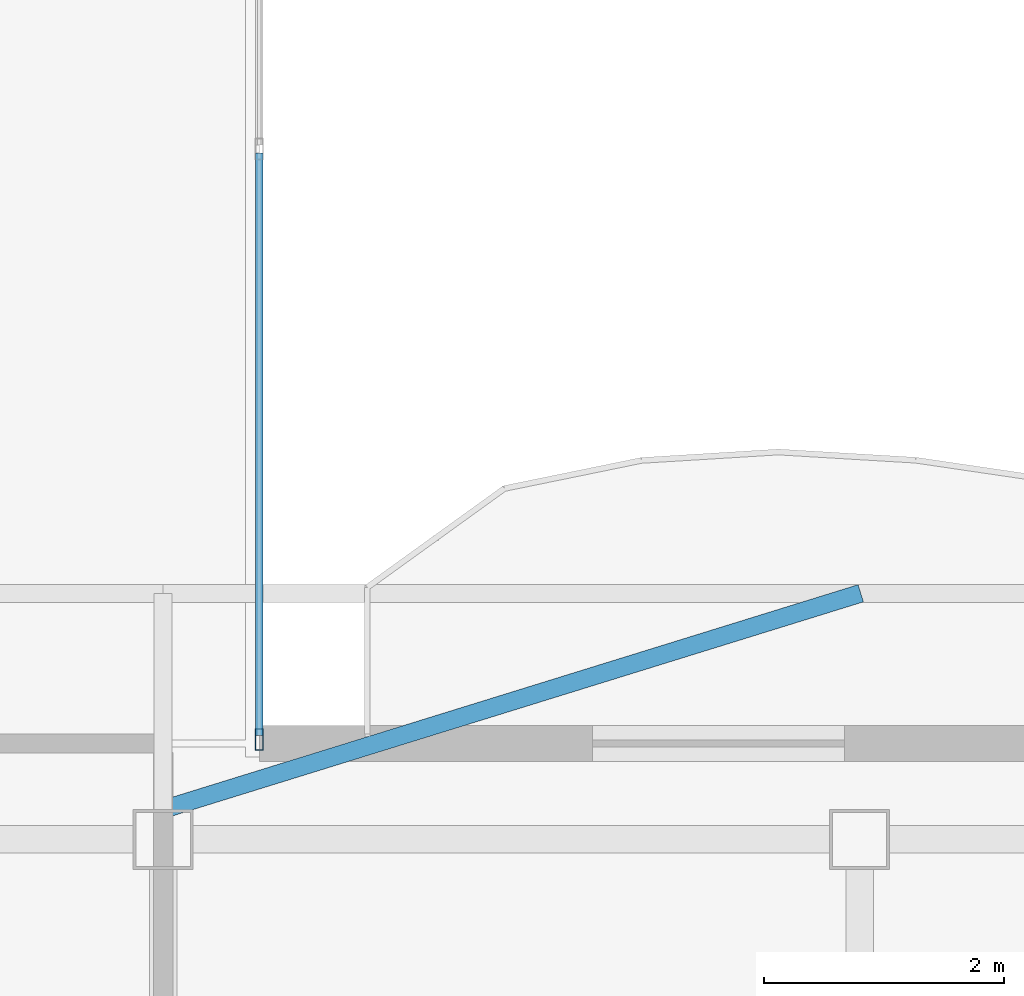
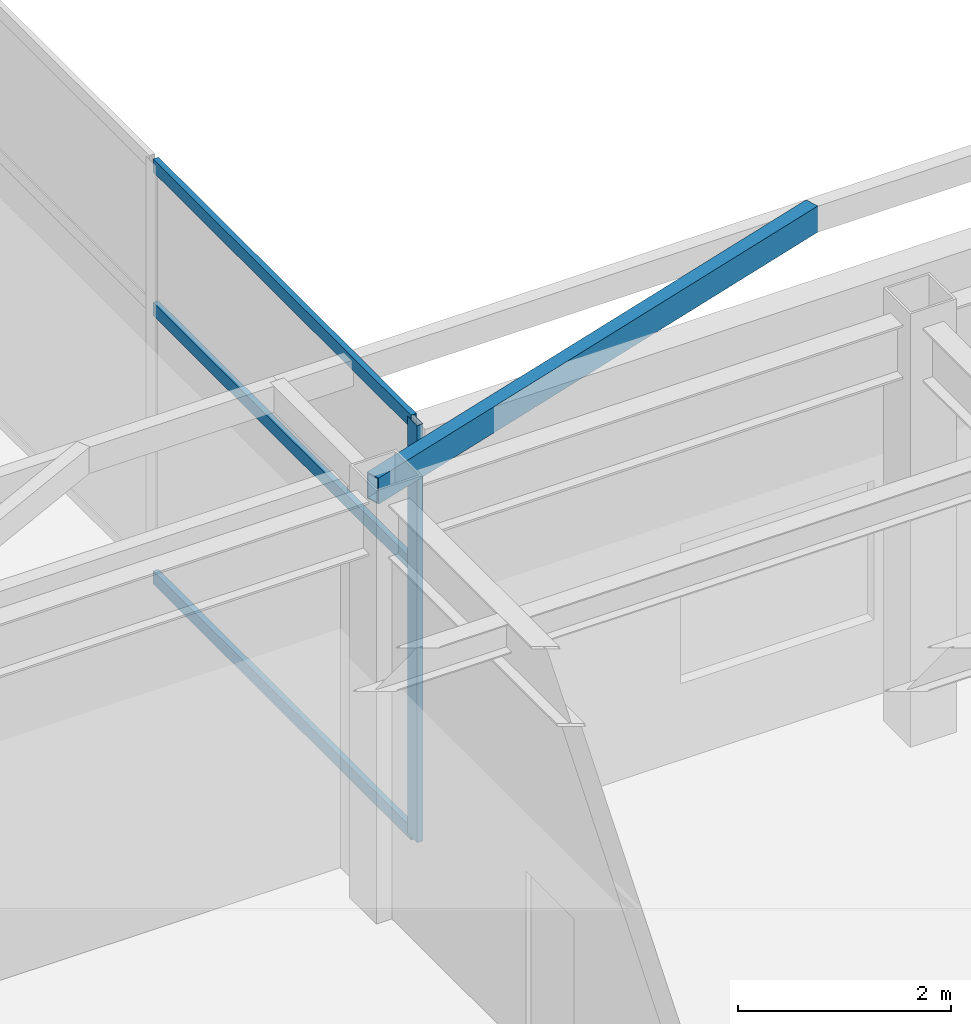
# One storey, part 10 of 23: 4 members, 1 beam, 1 element without a shape of its own.
"""IFC4 building model written with IfcOpenShell, lengths in metres."""

from ifc_helpers import new_model, si_unit, direction, frame, origin, origin_2d, place, context, subcontext, project, spatial, hollow_rectangle, extrude, material, layer, layer_set, material_profile, profile_set, type_object, element, aggregate, save


model = new_model("IFC4")

# Units and contexts
model_context = context("Model", 3, precision=1e-05, world=origin(), true_north=direction((0.0, 1.0)))
body_context = subcontext(model_context, "Body", "Model", "MODEL_VIEW")
ifc_project = project(units=[si_unit("LENGTHUNIT", "METRE"), si_unit("AREAUNIT", "SQUARE_METRE"), si_unit("VOLUMEUNIT", "CUBIC_METRE"), si_unit("PLANEANGLEUNIT", "RADIAN"), si_unit("MASSUNIT", "GRAM", prefix="KILO")], contexts=[model_context])

# Site, building, storey
site_placement = place(None, origin())
site = spatial("IfcSite", under=ifc_project, at=site_placement, CompositionType="ELEMENT")
building_placement = place(site_placement, origin())
building = spatial("IfcBuilding", under=site, at=building_placement, Name="Mawjaban Terraces University", CompositionType="ELEMENT")
storey_placement = place(building_placement, frame((0.0, 0.0, 98.39990234375)))
storey = spatial("IfcBuildingStorey", under=building, at=storey_placement, Name="L23", CompositionType="ELEMENT", Elevation=98.39990234375)

# Beam
ifc_material_1 = material(Name="Steel EN 10210-1 S355J2H", Category="steel")
ifc_material_profile_1 = material_profile(ifc_material_1, hollow_rectangle(XDim=0.14990234375, YDim=0.300048828125, WallThickness=0.012451171875, at=origin_2d()), Name="RHS300X150X12.5")
ifc_profile_set_1 = profile_set([ifc_material_profile_1], Name="Steel EN 10210-1 S355J2H")
beam_type = type_object("IfcBeamType", Name="BalconyCantileverSpandrel_RHS", PredefinedType="SPANDREL", material=ifc_profile_set_1)
beam_placement = place(storey_placement, frame((52.0, 15.449951171875, 4.64013671875), z_axis=(0.955207034031, 0.295938375574, 0.0), x_axis=(-0.295938375574, 0.955207034031, 0.0)))
element("IfcBeam", 1, at=beam_placement, inside=storey, type_object=beam_type, Name="L23 Exterior Diagonal Strut BAL-L24-N.1", PredefinedType="SPANDREL", context=body_context, shape_type="SweptSolid", body=[
    extrude(hollow_rectangle(XDim=0.14990234375, YDim=0.300048828125, WallThickness=0.012451171875, at=origin_2d()), origin(), (0.0, 0.0, 1.0), 6.08251953125),
])

# Curtain wall, members
ifc_material_2 = material(Name="Anodised aluminium 6063-T6 and solar-control low-E glass", Category="aluminium")
ifc_layer = layer(ifc_material_2, 0.18994140625)
ifc_layer_set = layer_set([ifc_layer], Name="Anodised aluminium 6063-T6 and solar-control low-E glass")
curtain_wall_type = type_object("IfcCurtainWallType", Name="CWSystem_05_SkyLobby", PredefinedType="NOTDEFINED", material=ifc_layer_set)
curtain_wall_placement = place(storey_placement, origin())
curtain_wall = element("IfcCurtainWall", 2, at=curtain_wall_placement, inside=storey, type_object=curtain_wall_type, Name="L23 Curtain Wall CW-05 Run 6.1", PredefinedType="NOTDEFINED")
ifc_material_3 = material(Name="Anodised aluminium 6063-T6", Category="aluminium")
ifc_material_profile_2 = material_profile(ifc_material_3, hollow_rectangle(XDim=0.06494140625, YDim=0.179931640625, WallThickness=0.00390625, at=origin_2d()), Name="ALU180X65X4")
ifc_profile_set_2 = profile_set([ifc_material_profile_2], Name="Anodised aluminium 6063-T6")
member_type_1 = type_object("IfcMemberType", Name="Mullion_CW-05", PredefinedType="MULLION", material=ifc_profile_set_2)
member_1_placement = place(storey_placement, frame((52.800048828125, 16.032470703125, 0.0), z_axis=(0.0, 0.0, 1.0), x_axis=(-1.0, 0.0, 0.0)))
member_1 = element("IfcMember", 3, at=member_1_placement, type_object=member_type_1, Name="CW-05 mullion 1", PredefinedType="MULLION", context=body_context, shape_type="SweptSolid", body=[
    extrude(hollow_rectangle(XDim=0.06494140625, YDim=0.179931640625, WallThickness=0.00390625, at=origin_2d()), origin(), (0.0, 0.0, 1.0), 4.7900390625),
])
ifc_material_profile_3 = material_profile(ifc_material_3, hollow_rectangle(XDim=0.06005859375, YDim=0.14990234375, WallThickness=0.00390625, at=origin_2d()), Name="ALU150X60X4")
ifc_profile_set_3 = profile_set([ifc_material_profile_3], Name="Anodised aluminium 6063-T6")
member_type_2 = type_object("IfcMemberType", Name="Transom_CW-05", PredefinedType="NOTDEFINED", material=ifc_profile_set_3)
member_2_placement = place(storey_placement, frame((52.800048828125, 16.06494140625, 0.030029296875), z_axis=(0.0, 1.0, 0.0), x_axis=(-1.0, 0.0, 0.0)))
member_2 = element("IfcMember", 4, at=member_2_placement, type_object=member_type_2, Name="CW-05 transom 1.1", ObjectType="TRANSOM", PredefinedType="USERDEFINED", context=body_context, shape_type="SweptSolid", body=[
    extrude(hollow_rectangle(XDim=0.06005859375, YDim=0.14990234375, WallThickness=0.00390625, at=origin_2d()), origin(), (0.0, 0.0, 1.0), 4.8525390625),
])
member_3_placement = place(storey_placement, frame((52.800048828125, 16.06494140625, 3.113037109375), z_axis=(0.0, 1.0, 0.0), x_axis=(-1.0, 0.0, 0.0)))
member_3 = element("IfcMember", 5, at=member_3_placement, type_object=member_type_2, Name="CW-05 transom 1.2", ObjectType="TRANSOM", PredefinedType="USERDEFINED", context=body_context, shape_type="SweptSolid", body=[
    extrude(hollow_rectangle(XDim=0.06005859375, YDim=0.14990234375, WallThickness=0.00390625, at=origin_2d()), origin(), (0.0, 0.0, 1.0), 4.8525390625),
])
member_4_placement = place(storey_placement, frame((52.800048828125, 16.06494140625, 4.760009765625), z_axis=(0.0, 1.0, 0.0), x_axis=(-1.0, 0.0, 0.0)))
member_4 = element("IfcMember", 6, at=member_4_placement, type_object=member_type_2, Name="CW-05 transom 1.3", ObjectType="TRANSOM", PredefinedType="USERDEFINED", context=body_context, shape_type="SweptSolid", body=[
    extrude(hollow_rectangle(XDim=0.06005859375, YDim=0.14990234375, WallThickness=0.00390625, at=origin_2d()), origin(), (0.0, 0.0, 1.0), 4.8525390625),
])
aggregate(curtain_wall, [member_1, member_2, member_3, member_4])

save(model, "model.ifc")
